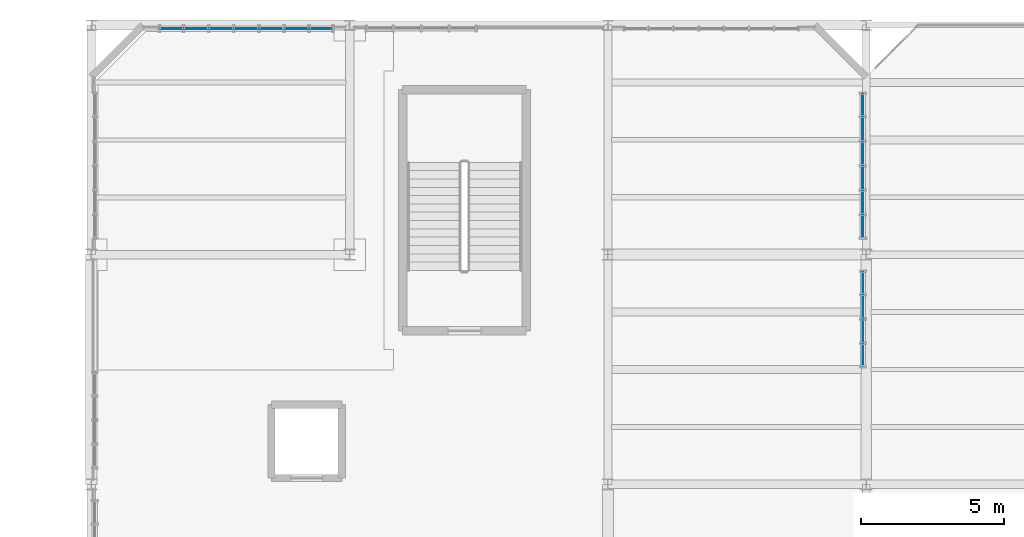
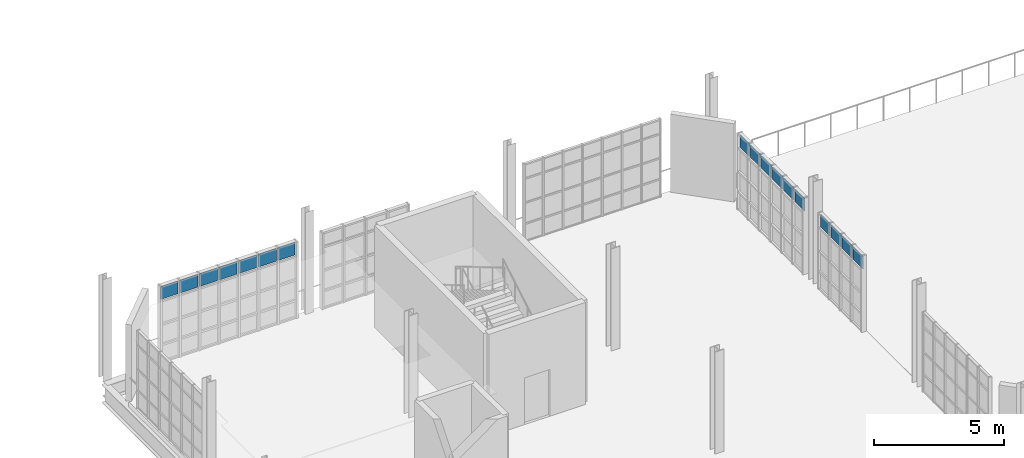
# One storey, part 74 of 85: 17 plates, 3 elements without a shape of their own.
"""IFC4 building model written with IfcOpenShell, lengths in metres."""

import ifcopenshell
import ifcopenshell.guid

model = None  # the IFC model being written
_history = None  # IfcOwnerHistory: only IFC2X3 demands one
_inside = {}  # id of a spatial element -> (the spatial element, [elements in it])
_under = {}  # id of a project, library or spatial element -> (it, [spatial elements below it])
_declared = {}  # id of a project -> (the project, [libraries it declares])
_typed = {}  # id of a type object -> (the type object, [elements of that type])
_made_of = {}  # id of a material, layer set ... -> (it, [elements and type objects made of it])


def new_model(schema):
    """Start an empty IFC model of exactly this schema.

    Asked for "IFC4X3", IfcOpenShell would pick the latest addendum, in which some entities
    have other attributes; the version numbers below select the first issue.
    IFC2X3 requires an IfcOwnerHistory on every rooted entity: one is made here for all.
    """
    global model, _history
    if schema == "IFC4X3":
        model = ifcopenshell.file(schema_version=(4, 3, 0, 0))
    else:
        model = ifcopenshell.file(schema=schema)
    _inside.clear()
    _under.clear()
    _declared.clear()
    _typed.clear()
    _made_of.clear()
    _history = None
    if model.schema == "IFC2X3":
        org = make("IfcOrganization", Name="unknown")
        user = make(
            "IfcPersonAndOrganization",
            ThePerson=make("IfcPerson", FamilyName="unknown"),
            TheOrganization=org,
        )
        app = make(
            "IfcApplication",
            ApplicationDeveloper=org,
            Version="unknown",
            ApplicationFullName="unknown",
            ApplicationIdentifier="unknown",
        )
        _history = make(
            "IfcOwnerHistory",
            OwningUser=user,
            OwningApplication=app,
            ChangeAction="ADDED",
            CreationDate=0,
        )
    return model


def make(cls, **values):
    """One entity of the class cls with the attributes given. An attribute that is None is left unset."""
    return model.create_entity(
        cls, **{name: value for name, value in values.items() if value is not None}
    )


def rooted(cls, **values):
    """An entity with a GlobalId (a new one), such as an element, a storey or a relation."""
    return make(cls, GlobalId=ifcopenshell.guid.new(), OwnerHistory=_history, **values)


def si_unit(unit_type, name, prefix=None):
    """IfcSIUnit, for example si_unit("LENGTHUNIT", "METRE", prefix="MILLI")."""
    return make("IfcSIUnit", UnitType=unit_type, Prefix=prefix, Name=name)


def assignment(units):
    """IfcUnitAssignment: the units of a project."""
    return None if units is None else make("IfcUnitAssignment", Units=units)


def point(xyz):
    """IfcCartesianPoint."""
    return None if xyz is None else make("IfcCartesianPoint", Coordinates=xyz)


def direction(xyz):
    """IfcDirection."""
    return None if xyz is None else make("IfcDirection", DirectionRatios=xyz)


def frame(location, z_axis=None, x_axis=None):
    """IfcAxis2Placement3D, a coordinate frame: its origin and axes. An axis left out is left unset."""
    return make(
        "IfcAxis2Placement3D",
        Location=point(location),
        Axis=direction(z_axis),
        RefDirection=direction(x_axis),
    )


def frame_2d(location, x_axis=None):
    """IfcAxis2Placement2D, a coordinate frame in the plane: its origin and x axis."""
    return make(
        "IfcAxis2Placement2D", Location=point(location), RefDirection=direction(x_axis)
    )


def origin():
    """The frame at (0, 0, 0) with its axes left unset."""
    return frame((0.0, 0.0, 0.0))


def origin_2d():
    """The frame at (0, 0) in the plane with its x axis left unset."""
    return frame_2d((0.0, 0.0))


def place(relative_to, where):
    """IfcLocalPlacement: puts the frame where relative to a parent placement (None: the world)."""
    return make(
        "IfcLocalPlacement", PlacementRelTo=relative_to, RelativePlacement=where
    )


def context(
    kind, dimensions, precision=None, world=None, true_north=None, identifier=None
):
    """IfcGeometricRepresentationContext, for example the 3D "Model" context."""
    return make(
        "IfcGeometricRepresentationContext",
        ContextIdentifier=identifier,
        ContextType=kind,
        CoordinateSpaceDimension=dimensions,
        Precision=precision,
        WorldCoordinateSystem=world,
        TrueNorth=true_north,
    )


def subcontext(parent, identifier, kind, view, scale=None):
    """IfcGeometricRepresentationSubContext, for example "Body" below "Model"."""
    return make(
        "IfcGeometricRepresentationSubContext",
        ContextIdentifier=identifier,
        ContextType=kind,
        ParentContext=parent,
        TargetScale=scale,
        TargetView=view,
    )


def project(units=None, contexts=None):
    """IfcProject with its units and contexts."""
    return rooted(
        "IfcProject",
        Name="project",
        RepresentationContexts=contexts,
        UnitsInContext=assignment(units),
    )


def spatial(cls, under=None, at=None, **own):
    """A site, building, storey or space (cls), placed at a placement, below another one or the project."""
    s = rooted(cls, ObjectPlacement=at, **own)
    if under is not None:
        _under.setdefault(under.id(), (under, []))[1].append(s)
    return s


def profile(cls, at=None, kind="AREA", **sizes):
    """A parametric profile (cls). Its sizes go by their IFC names, for example OverallWidth=200.0."""
    return make(cls, ProfileType=kind, Position=at, **sizes)


def rectangle(**sizes):
    """IfcRectangleProfileDef."""
    return profile("IfcRectangleProfileDef", **sizes)


def extrude(swept, where, along, depth):
    """IfcExtrudedAreaSolid: the profile swept, set in the frame where, extruded along a direction by depth."""
    return make(
        "IfcExtrudedAreaSolid",
        SweptArea=swept,
        Position=where,
        ExtrudedDirection=direction(along),
        Depth=depth,
    )


def shape(context_of_items, identifier, shape_type, items):
    """IfcShapeRepresentation: the items that make up one representation, for example the "Body"."""
    return make(
        "IfcShapeRepresentation",
        ContextOfItems=context_of_items,
        RepresentationIdentifier=identifier,
        RepresentationType=shape_type,
        Items=items,
    )


def material(Name=None, Category=None):
    """IfcMaterial."""
    return make("IfcMaterial", Name=Name, Category=Category)


def layer(
    of_material, thickness, ventilated=None, Name=None, Category=None, Priority=None
):
    """IfcMaterialLayer: one layer of a wall or slab, of a material (None: an air gap)."""
    return make(
        "IfcMaterialLayer",
        Material=of_material,
        LayerThickness=thickness,
        IsVentilated=ventilated,
        Name=Name,
        Category=Category,
        Priority=Priority,
    )


def layer_set(layers, Name=None):
    """IfcMaterialLayerSet."""
    return make("IfcMaterialLayerSet", MaterialLayers=layers, LayerSetName=Name)


def made_of(thing, what):
    """Note that an element or type object is made of a material, layer set ...; save() writes the relation."""
    if what is not None:
        _made_of.setdefault(what.id(), (what, []))[1].append(thing)
    return thing


def type_object(cls, material=None, **own):
    """A type object (cls), such as IfcWallType, which elements share."""
    return made_of(rooted(cls, **own), material)


def element(
    cls,
    number,
    at=None,
    inside=None,
    cuts=None,
    type_object=None,
    material=None,
    context=None,
    identifier="Body",
    shape_type=None,
    held_by="IfcProductDefinitionShape",
    body=None,
    shapes=None,
    **own,
):
    """One element of the class cls, such as IfcWall. Its Tag is "e" and its number.

    at: its placement. inside: the storey or other place that contains it. cuts: it is an
    opening in that element (IfcRelVoidsElement). A single representation is given by context,
    identifier, shape_type and body (its items); several are given by shapes. held_by: the class
    of the entity that holds the representations. save() writes the other relations.
    """
    e = rooted(cls, Tag="e%d" % number, ObjectPlacement=at, **own)
    if body is not None:
        shapes = [shape(context, identifier, shape_type, body)]
    if shapes is not None:
        e.Representation = make(held_by, Representations=shapes)
    if inside is not None:
        _inside.setdefault(inside.id(), (inside, []))[1].append(e)
    if cuts is not None:
        rooted(
            "IfcRelVoidsElement", RelatingBuildingElement=cuts, RelatedOpeningElement=e
        )
    if type_object is not None:
        _typed.setdefault(type_object.id(), (type_object, []))[1].append(e)
    return made_of(e, material)


def aggregate(whole, parts):
    """IfcRelAggregates: a whole, such as a stair, and the parts it consists of."""
    return rooted("IfcRelAggregates", RelatingObject=whole, RelatedObjects=parts)


def save(model, path):
    """Write the relations noted so far, then the file.

    IfcRelAggregates (storeys below a building ...), IfcRelContainedInSpatialStructure (elements
    in a storey), IfcRelDefinesByType, IfcRelAssociatesMaterial and IfcRelDeclares: one each for
    every whole, place, type object, material and project.
    """
    for whole, parts in _under.values():
        aggregate(whole, parts)
    for where, things in _inside.values():
        rooted(
            "IfcRelContainedInSpatialStructure",
            RelatedElements=things,
            RelatingStructure=where,
        )
    for kind, things in _typed.values():
        rooted("IfcRelDefinesByType", RelatedObjects=things, RelatingType=kind)
    for what, things in _made_of.values():
        rooted("IfcRelAssociatesMaterial", RelatedObjects=things, RelatingMaterial=what)
    for by, libraries in _declared.values():
        rooted("IfcRelDeclares", RelatingContext=by, RelatedDefinitions=libraries)
    model.write(path)


model = new_model("IFC4")

# Units and contexts
model_context = context("Model", 3, precision=1e-05, world=origin(), true_north=direction((0.0, 1.0)))
body_context = subcontext(model_context, "Body", "Model", "MODEL_VIEW")
ifc_project = project(units=[si_unit("LENGTHUNIT", "METRE"), si_unit("AREAUNIT", "SQUARE_METRE"), si_unit("VOLUMEUNIT", "CUBIC_METRE"), si_unit("PLANEANGLEUNIT", "RADIAN"), si_unit("MASSUNIT", "GRAM", prefix="KILO"), si_unit("THERMODYNAMICTEMPERATUREUNIT", "KELVIN"), si_unit("POWERUNIT", "WATT")], contexts=[model_context])

# Site, building, storey
site_placement = place(None, origin())
site = spatial("IfcSite", under=ifc_project, at=site_placement, CompositionType="ELEMENT")
building_placement = place(site_placement, origin())
building = spatial("IfcBuilding", under=site, at=building_placement, Name="Zelmaris Science Centre", CompositionType="ELEMENT")
storey_placement = place(building_placement, frame((0.0, 0.0, 20.39990234375)))
storey = spatial("IfcBuildingStorey", under=building, at=storey_placement, Name="L04", CompositionType="ELEMENT", Elevation=20.39990234375)

# Curtain wall, plates
ifc_material_1 = material(Name="Anodised architectural aluminium 6063-T6", Category="aluminium")
ifc_layer_1 = layer(ifc_material_1, 0.18994140625, Name="Anodised architectural aluminium 6063-T6")
ifc_layer_set_1 = layer_set([ifc_layer_1], Name="Anodised architectural aluminium 6063-T6")
curtain_wall_type_1 = type_object("IfcCurtainWallType", Name="Curtain Wall CW-01", PredefinedType="USERDEFINED", material=ifc_layer_set_1)
curtain_wall_1_placement = place(storey_placement, origin())
curtain_wall_1 = element("IfcCurtainWall", 1, at=curtain_wall_1_placement, inside=storey, type_object=curtain_wall_type_1, Name="L04 Unitised curtain wall 341", ObjectType="GLAZED CURTAIN WALL", PredefinedType="USERDEFINED")
ifc_material_2 = material(Name="Laminated hurricane-rated low-E insulated glazing", Category="glass")
ifc_layer_2 = layer(ifc_material_2, 0.031982421875, Name="Laminated hurricane-rated low-E insulated glazing")
ifc_layer_set_2 = layer_set([ifc_layer_2], Name="Laminated hurricane-rated low-E insulated glazing")
plate_type_1 = type_object("IfcPlateType", Name="Curtain Glazing Panel CWP-1 32mm", PredefinedType="CURTAIN_PANEL", material=ifc_layer_set_2)
plate_1_placement = place(storey_placement, frame((56.795166015625, 87.8798828125, 2.93701171875), z_axis=(0.0, 0.0, 1.0), x_axis=(1.0, 0.0, 0.0)))
plate_1 = element("IfcPlate", 2, at=plate_1_placement, type_object=plate_type_1, Name="CW-01 panel 1.4", PredefinedType="CURTAIN_PANEL", context=body_context, shape_type="SweptSolid", body=[
    extrude(rectangle(XDim=0.766357421875, YDim=0.031982421875, at=origin_2d()), origin(), (0.0, 0.0, 1.0), 0.592041015625),
])
plate_2_placement = place(storey_placement, frame((57.6513671875, 87.8798828125, 2.93701171875), z_axis=(0.0, 0.0, 1.0), x_axis=(1.0, 0.0, 0.0)))
plate_2 = element("IfcPlate", 3, at=plate_2_placement, type_object=plate_type_1, Name="CW-01 panel 2.4", PredefinedType="CURTAIN_PANEL", context=body_context, shape_type="SweptSolid", body=[
    extrude(rectangle(XDim=0.80224609375, YDim=0.031982421875, at=origin_2d()), origin(), (0.0, 0.0, 1.0), 0.592041015625),
])
plate_3_placement = place(storey_placement, frame((58.525634765625, 87.8798828125, 2.93701171875), z_axis=(0.0, 0.0, 1.0), x_axis=(1.0, 0.0, 0.0)))
plate_3 = element("IfcPlate", 4, at=plate_3_placement, type_object=plate_type_1, Name="CW-01 panel 3.4", PredefinedType="CURTAIN_PANEL", context=body_context, shape_type="SweptSolid", body=[
    extrude(rectangle(XDim=0.80224609375, YDim=0.031982421875, at=origin_2d()), origin(), (0.0, 0.0, 1.0), 0.592041015625),
])
plate_4_placement = place(storey_placement, frame((59.39990234375, 87.8798828125, 2.93701171875), z_axis=(0.0, 0.0, 1.0), x_axis=(1.0, 0.0, 0.0)))
plate_4 = element("IfcPlate", 5, at=plate_4_placement, type_object=plate_type_1, Name="CW-01 panel 4.4", PredefinedType="CURTAIN_PANEL", context=body_context, shape_type="SweptSolid", body=[
    extrude(rectangle(XDim=0.80224609375, YDim=0.031982421875, at=origin_2d()), origin(), (0.0, 0.0, 1.0), 0.592041015625),
])
plate_5_placement = place(storey_placement, frame((60.274169921875, 87.8798828125, 2.93701171875), z_axis=(0.0, 0.0, 1.0), x_axis=(1.0, 0.0, 0.0)))
plate_5 = element("IfcPlate", 6, at=plate_5_placement, type_object=plate_type_1, Name="CW-01 panel 5.4", PredefinedType="CURTAIN_PANEL", context=body_context, shape_type="SweptSolid", body=[
    extrude(rectangle(XDim=0.80224609375, YDim=0.031982421875, at=origin_2d()), origin(), (0.0, 0.0, 1.0), 0.592041015625),
])
plate_6_placement = place(storey_placement, frame((61.148681640625, 87.8798828125, 2.93701171875), z_axis=(0.0, 0.0, 1.0), x_axis=(1.0, 0.0, 0.0)))
plate_6 = element("IfcPlate", 7, at=plate_6_placement, type_object=plate_type_1, Name="CW-01 panel 6.4", PredefinedType="CURTAIN_PANEL", context=body_context, shape_type="SweptSolid", body=[
    extrude(rectangle(XDim=0.80224609375, YDim=0.031982421875, at=origin_2d()), origin(), (0.0, 0.0, 1.0), 0.592041015625),
])
plate_7_placement = place(storey_placement, frame((62.0048828125, 87.8798828125, 2.93701171875), z_axis=(0.0, 0.0, 1.0), x_axis=(1.0, 0.0, 0.0)))
plate_7 = element("IfcPlate", 8, at=plate_7_placement, type_object=plate_type_1, Name="CW-01 panel 7.4", PredefinedType="CURTAIN_PANEL", context=body_context, shape_type="SweptSolid", body=[
    extrude(rectangle(XDim=0.766357421875, YDim=0.031982421875, at=origin_2d()), origin(), (0.0, 0.0, 1.0), 0.592041015625),
])
aggregate(curtain_wall_1, [plate_1, plate_2, plate_3, plate_4, plate_5, plate_6, plate_7])

curtain_wall_2_placement = place(storey_placement, origin())
curtain_wall_2 = element("IfcCurtainWall", 9, at=curtain_wall_2_placement, inside=storey, type_object=curtain_wall_type_1, Name="L04 Unitised curtain wall 345", ObjectType="GLAZED CURTAIN WALL", PredefinedType="USERDEFINED")
plate_8_placement = place(storey_placement, frame((80.880615234375, 85.21533203125, 2.92431640625), z_axis=(0.0, 0.0, 1.0), x_axis=(0.000781249768, -0.999999694824, 0.0)))
plate_8 = element("IfcPlate", 10, at=plate_8_placement, type_object=plate_type_1, Name="CW-01 panel 1.4", PredefinedType="CURTAIN_PANEL", context=body_context, shape_type="SweptSolid", body=[
    extrude(rectangle(XDim=0.745361328125, YDim=0.031982421875, at=origin_2d()), origin(), (0.0, 0.0, 1.0), 0.592041015625),
])
plate_9_placement = place(storey_placement, frame((80.88134765625, 84.3798828125, 2.92431640625), z_axis=(0.0, 0.0, 1.0), x_axis=(0.000781249768, -0.999999694824, 0.0)))
plate_9 = element("IfcPlate", 11, at=plate_9_placement, type_object=plate_type_1, Name="CW-01 panel 2.4", PredefinedType="CURTAIN_PANEL", context=body_context, shape_type="SweptSolid", body=[
    extrude(rectangle(XDim=0.78125, YDim=0.031982421875, at=origin_2d()), origin(), (0.0, 0.0, 1.0), 0.592041015625),
])
plate_10_placement = place(storey_placement, frame((80.882080078125, 83.526611328125, 2.92431640625), z_axis=(0.0, 0.0, 1.0), x_axis=(0.000781249768, -0.999999694824, 0.0)))
plate_10 = element("IfcPlate", 12, at=plate_10_placement, type_object=plate_type_1, Name="CW-01 panel 3.4", PredefinedType="CURTAIN_PANEL", context=body_context, shape_type="SweptSolid", body=[
    extrude(rectangle(XDim=0.78125, YDim=0.031982421875, at=origin_2d()), origin(), (0.0, 0.0, 1.0), 0.592041015625),
])
plate_11_placement = place(storey_placement, frame((80.882568359375, 82.67333984375, 2.92431640625), z_axis=(0.0, 0.0, 1.0), x_axis=(0.000781249768, -0.999999694824, 0.0)))
plate_11 = element("IfcPlate", 13, at=plate_11_placement, type_object=plate_type_1, Name="CW-01 panel 4.4", PredefinedType="CURTAIN_PANEL", context=body_context, shape_type="SweptSolid", body=[
    extrude(rectangle(XDim=0.78125, YDim=0.031982421875, at=origin_2d()), origin(), (0.0, 0.0, 1.0), 0.592041015625),
])
plate_12_placement = place(storey_placement, frame((80.88330078125, 81.81982421875, 2.92431640625), z_axis=(0.0, 0.0, 1.0), x_axis=(0.000781249768, -0.999999694824, 0.0)))
plate_12 = element("IfcPlate", 14, at=plate_12_placement, type_object=plate_type_1, Name="CW-01 panel 5.4", PredefinedType="CURTAIN_PANEL", context=body_context, shape_type="SweptSolid", body=[
    extrude(rectangle(XDim=0.78125, YDim=0.031982421875, at=origin_2d()), origin(), (0.0, 0.0, 1.0), 0.592041015625),
])
plate_13_placement = place(storey_placement, frame((80.884033203125, 80.984619140625, 2.92431640625), z_axis=(0.0, 0.0, 1.0), x_axis=(0.000781249768, -0.999999694824, 0.0)))
plate_13 = element("IfcPlate", 15, at=plate_13_placement, type_object=plate_type_1, Name="CW-01 panel 6.4", PredefinedType="CURTAIN_PANEL", context=body_context, shape_type="SweptSolid", body=[
    extrude(rectangle(XDim=0.745361328125, YDim=0.031982421875, at=origin_2d()), origin(), (0.0, 0.0, 1.0), 0.592041015625),
])
aggregate(curtain_wall_2, [plate_8, plate_9, plate_10, plate_11, plate_12, plate_13])

ifc_layer_3 = layer(ifc_material_1, 0.199951171875, Name="Anodised architectural aluminium 6063-T6")
ifc_layer_set_3 = layer_set([ifc_layer_3], Name="Anodised architectural aluminium 6063-T6")
curtain_wall_type_2 = type_object("IfcCurtainWallType", Name="Curtain Wall CW-02", PredefinedType="USERDEFINED", material=ifc_layer_set_3)
curtain_wall_3_placement = place(storey_placement, origin())
curtain_wall_3 = element("IfcCurtainWall", 16, at=curtain_wall_3_placement, inside=storey, type_object=curtain_wall_type_2, Name="L04 Unitised curtain wall 346", ObjectType="GLAZED CURTAIN WALL", PredefinedType="USERDEFINED")
ifc_layer_4 = layer(ifc_material_2, 0.028076171875, Name="Laminated hurricane-rated low-E insulated glazing")
ifc_layer_set_4 = layer_set([ifc_layer_4], Name="Laminated hurricane-rated low-E insulated glazing")
plate_type_2 = type_object("IfcPlateType", Name="Curtain Glazing Panel CWP-2 28mm", PredefinedType="CURTAIN_PANEL", material=ifc_layer_set_4)
plate_14_placement = place(storey_placement, frame((80.885498046875, 79.01806640625, 2.921630859375), z_axis=(0.0, 0.0, 1.0), x_axis=(0.000794117396, -0.999999684689, 0.0)))
plate_14 = element("IfcPlate", 17, at=plate_14_placement, type_object=plate_type_2, Name="CW-02 panel 1.4", PredefinedType="CURTAIN_PANEL", context=body_context, shape_type="SweptSolid", body=[
    extrude(rectangle(XDim=0.74951171875, YDim=0.028076171875, at=origin_2d()), origin(), (0.0, 0.0, 1.0), 0.599609375),
])
plate_15_placement = place(storey_placement, frame((80.88623046875, 78.184814453125, 2.921630859375), z_axis=(0.0, 0.0, 1.0), x_axis=(0.000794117396, -0.999999684689, 0.0)))
plate_15 = element("IfcPlate", 18, at=plate_15_placement, type_object=plate_type_2, Name="CW-02 panel 2.4", PredefinedType="CURTAIN_PANEL", context=body_context, shape_type="SweptSolid", body=[
    extrude(rectangle(XDim=0.782958984375, YDim=0.028076171875, at=origin_2d()), origin(), (0.0, 0.0, 1.0), 0.599609375),
])
plate_16_placement = place(storey_placement, frame((80.88671875, 77.3349609375, 2.921630859375), z_axis=(0.0, 0.0, 1.0), x_axis=(0.000794117396, -0.999999684689, 0.0)))
plate_16 = element("IfcPlate", 19, at=plate_16_placement, type_object=plate_type_2, Name="CW-02 panel 3.4", PredefinedType="CURTAIN_PANEL", context=body_context, shape_type="SweptSolid", body=[
    extrude(rectangle(XDim=0.782958984375, YDim=0.028076171875, at=origin_2d()), origin(), (0.0, 0.0, 1.0), 0.599609375),
])
plate_17_placement = place(storey_placement, frame((80.887451171875, 76.501708984375, 2.921630859375), z_axis=(0.0, 0.0, 1.0), x_axis=(0.000794117396, -0.999999684689, 0.0)))
plate_17 = element("IfcPlate", 20, at=plate_17_placement, type_object=plate_type_2, Name="CW-02 panel 4.4", PredefinedType="CURTAIN_PANEL", context=body_context, shape_type="SweptSolid", body=[
    extrude(rectangle(XDim=0.74951171875, YDim=0.028076171875, at=origin_2d()), origin(), (0.0, 0.0, 1.0), 0.599609375),
])
aggregate(curtain_wall_3, [plate_14, plate_15, plate_16, plate_17])

save(model, "model.ifc")
